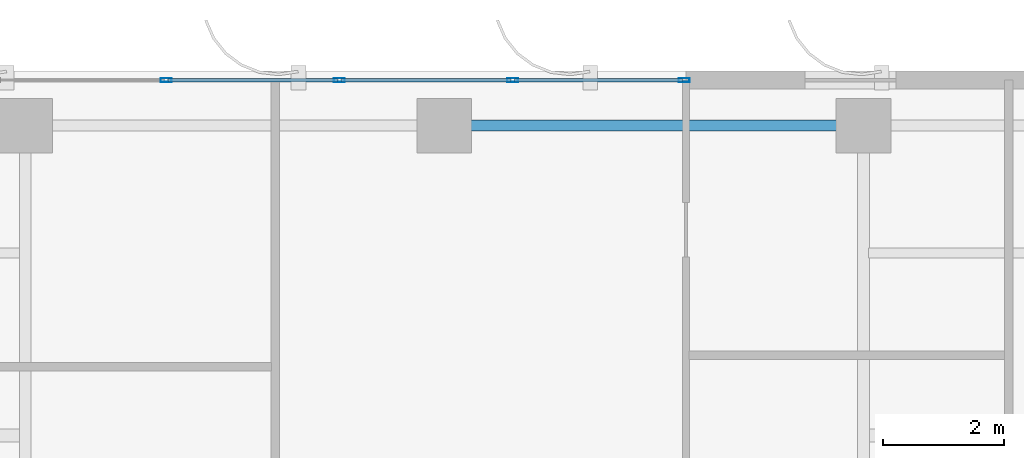
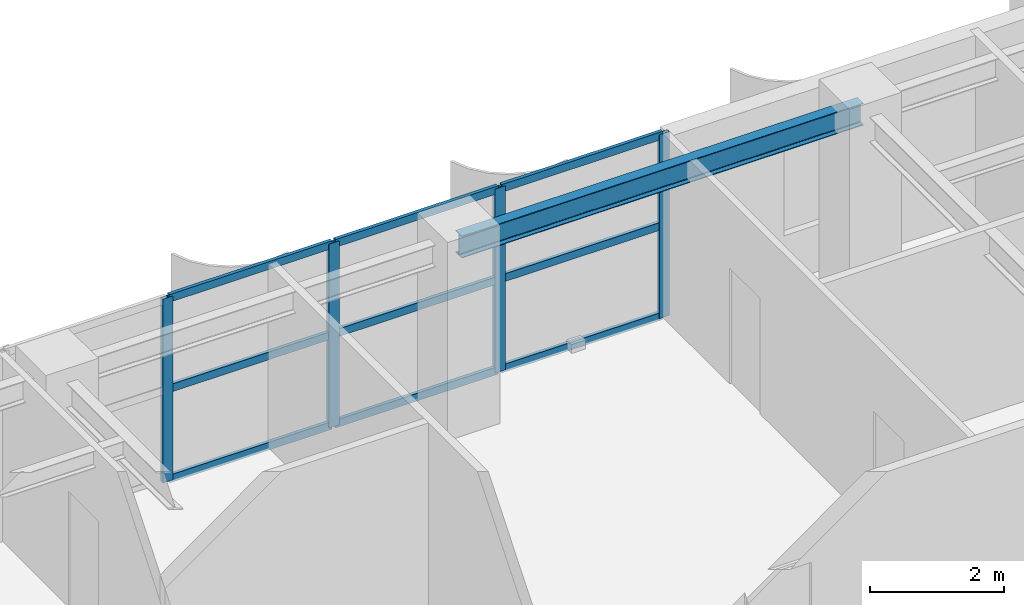
# One storey, part 13 of 22: 13 members, 1 beam, 1 element without a shape of its own.
"""IFC4 building model written with IfcOpenShell, lengths in metres."""

from ifc_helpers import new_model, si_unit, direction, frame, origin, origin_2d, place, context, subcontext, project, spatial, hollow_rectangle, i_section, extrude, source, transform, mapped, material, layer, layer_set, material_profile, profile_set, type_object, element, aggregate, save


model = new_model("IFC4")

# Units and contexts
model_context = context("Model", 3, precision=1e-05, world=origin(), true_north=direction((0.0, 1.0)))
body_context = subcontext(model_context, "Body", "Model", "MODEL_VIEW")
ifc_project = project(units=[si_unit("LENGTHUNIT", "METRE"), si_unit("AREAUNIT", "SQUARE_METRE"), si_unit("VOLUMEUNIT", "CUBIC_METRE"), si_unit("PLANEANGLEUNIT", "RADIAN"), si_unit("MASSUNIT", "GRAM", prefix="KILO")], contexts=[model_context])

# Site, building, storey
site_placement = place(None, origin())
site = spatial("IfcSite", under=ifc_project, at=site_placement, CompositionType="ELEMENT")
building_placement = place(site_placement, origin())
building = spatial("IfcBuilding", under=site, at=building_placement, Name="Khoralis Quay Care Tower", CompositionType="ELEMENT")
storey_placement = place(building_placement, frame((0.0, 0.0, 180.89990234375)))
storey = spatial("IfcBuildingStorey", under=building, at=storey_placement, Name="L47", CompositionType="ELEMENT", Elevation=180.89990234375)

# Beam
ifc_material_1 = material(Name="Steel S355", Category="steel")
ifc_material_profile_1 = material_profile(ifc_material_1, i_section(OverallWidth=0.179931640625, OverallDepth=0.39990234375, WebThickness=0.008544921875, FlangeThickness=0.013427734375, FilletRadius=0.02099609375, at=origin_2d()), Name="Steel S355")
ifc_profile_set_1 = profile_set([ifc_material_profile_1], Name="Steel S355")
beam_type = type_object("IfcBeamType", Name="BM-IPE400", PredefinedType="SPANDREL", material=ifc_profile_set_1)
shared_shape_1 = source(origin(), body_context, "Body", "SweptSolid", [
    extrude(i_section(OverallWidth=0.179931640625, OverallDepth=0.39990234375, WebThickness=0.008544921875, FlangeThickness=0.013427734375, FilletRadius=0.02099609375, at=origin_2d()), origin(), (0.0, 0.0, 1.0), 6.89990234375),
])
beam_placement = place(storey_placement, frame((24.0, 41.10009765625, 3.14013671875), z_axis=(1.0, 0.0, 0.0), x_axis=(0.0, 1.0, 0.0)))
element("IfcBeam", 1, at=beam_placement, inside=storey, type_object=beam_type, Name="BM-TSP-L47-07", PredefinedType="SPANDREL", context=body_context, shape_type="MappedRepresentation", body=[
    mapped(shared_shape_1, transform((0.0, 0.0, 0.0), scale=1.0)),
])

# Curtain wall, members
ifc_material_2 = material(Name="Pale anodised aluminium", Category="aluminium")
ifc_layer = layer(ifc_material_2, 0.159912109375)
ifc_layer_set = layer_set([ifc_layer], Name="Pale anodised aluminium")
curtain_wall_type = type_object("IfcCurtainWallType", Name="CW-SYS-Z3", PredefinedType="NOTDEFINED", material=ifc_layer_set)
curtain_wall_placement = place(storey_placement, origin())
curtain_wall = element("IfcCurtainWall", 2, at=curtain_wall_placement, inside=storey, type_object=curtain_wall_type, Name="L47 Unitised Curtain Wall CW-L47-P1-E10", PredefinedType="NOTDEFINED")
ifc_material_profile_2 = material_profile(ifc_material_2, hollow_rectangle(XDim=0.06494140625, YDim=0.179931640625, WallThickness=0.00390625, at=origin_2d()), Name="Pale anodised aluminium")
ifc_profile_set_2 = profile_set([ifc_material_profile_2], Name="Pale anodised aluminium")
member_type_1 = type_object("IfcMemberType", Name="CW-MUL-180", PredefinedType="MULLION", material=ifc_profile_set_2)
shared_shape_2 = source(origin(), body_context, "Body", "SweptSolid", [
    extrude(hollow_rectangle(XDim=0.06494140625, YDim=0.179931640625, WallThickness=0.00390625, at=origin_2d()), origin(), (0.0, 0.0, 1.0), 3.340087890625),
])
member_1_placement = place(storey_placement, frame((27.948974609375, 41.85009765625, 0.0), z_axis=(0.0, 0.0, 1.0), x_axis=(0.0, -1.0, 0.0)))
member_1 = element("IfcMember", 3, at=member_1_placement, type_object=member_type_1, Name="CW3 mullion 1", PredefinedType="MULLION", context=body_context, shape_type="MappedRepresentation", body=[
    mapped(shared_shape_2, transform((0.0, 0.0, 0.0), scale=1.0)),
])
member_2_placement = place(storey_placement, frame((25.1259765625, 41.85009765625, 0.0), z_axis=(0.0, 0.0, 1.0), x_axis=(0.0, -1.0, 0.0)))
member_2 = element("IfcMember", 4, at=member_2_placement, type_object=member_type_1, Name="CW3 mullion 2", PredefinedType="MULLION", context=body_context, shape_type="MappedRepresentation", body=[
    mapped(shared_shape_2, transform((0.0, 0.0, 0.0), scale=1.0)),
])
member_3_placement = place(storey_placement, frame((22.27294921875, 41.85009765625, 0.0), z_axis=(0.0, 0.0, 1.0), x_axis=(0.0, -1.0, 0.0)))
member_3 = element("IfcMember", 5, at=member_3_placement, type_object=member_type_1, Name="CW3 mullion 3", PredefinedType="MULLION", context=body_context, shape_type="MappedRepresentation", body=[
    mapped(shared_shape_2, transform((0.0, 0.0, 0.0), scale=1.0)),
])
member_4_placement = place(storey_placement, frame((19.419921875, 41.85009765625, 0.0), z_axis=(0.0, 0.0, 1.0), x_axis=(0.0, -1.0, 0.0)))
member_4 = element("IfcMember", 6, at=member_4_placement, type_object=member_type_1, Name="CW3 mullion 4", PredefinedType="MULLION", context=body_context, shape_type="MappedRepresentation", body=[
    mapped(shared_shape_2, transform((0.0, 0.0, 0.0), scale=1.0)),
])
ifc_material_profile_3 = material_profile(ifc_material_2, hollow_rectangle(XDim=0.06005859375, YDim=0.139892578125, WallThickness=0.00390625, at=origin_2d()), Name="Pale anodised aluminium")
ifc_profile_set_3 = profile_set([ifc_material_profile_3], Name="Pale anodised aluminium")
member_type_2 = type_object("IfcMemberType", Name="CW-TRN-140", PredefinedType="USERDEFINED", material=ifc_profile_set_3)
shared_shape_3 = source(origin(), body_context, "Body", "SweptSolid", [
    extrude(hollow_rectangle(XDim=0.06005859375, YDim=0.139892578125, WallThickness=0.00390625, at=origin_2d()), origin(), (0.0, 0.0, 1.0), 2.762939453125),
])
member_5_placement = place(storey_placement, frame((27.9189453125, 41.85009765625, 0.030029296875), z_axis=(-1.0, 0.0, 0.0), x_axis=(0.0, -1.0, 0.0)))
member_5 = element("IfcMember", 7, at=member_5_placement, type_object=member_type_2, Name="CW3 transom 1.1", ObjectType="TRANSOM", PredefinedType="USERDEFINED", context=body_context, shape_type="MappedRepresentation", body=[
    mapped(shared_shape_3, transform((0.0, 0.0, 0.0), scale=1.0)),
])
member_6_placement = place(storey_placement, frame((27.9189453125, 41.85009765625, 1.670166015625), z_axis=(-1.0, 0.0, 0.0), x_axis=(0.0, -1.0, 0.0)))
member_6 = element("IfcMember", 8, at=member_6_placement, type_object=member_type_2, Name="CW3 transom 1.2", ObjectType="TRANSOM", PredefinedType="USERDEFINED", context=body_context, shape_type="MappedRepresentation", body=[
    mapped(shared_shape_3, transform((0.0, 0.0, 0.0), scale=1.0)),
])
member_7_placement = place(storey_placement, frame((27.9189453125, 41.85009765625, 3.31005859375), z_axis=(-1.0, 0.0, 0.0), x_axis=(0.0, -1.0, 0.0)))
member_7 = element("IfcMember", 9, at=member_7_placement, type_object=member_type_2, Name="CW3 transom 1.3", ObjectType="TRANSOM", PredefinedType="USERDEFINED", context=body_context, shape_type="MappedRepresentation", body=[
    mapped(shared_shape_3, transform((0.0, 0.0, 0.0), scale=1.0)),
])
shared_shape_4 = source(origin(), body_context, "Body", "SweptSolid", [
    extrude(hollow_rectangle(XDim=0.06005859375, YDim=0.139892578125, WallThickness=0.00390625, at=origin_2d()), origin(), (0.0, 0.0, 1.0), 2.79296875),
])
member_8_placement = place(storey_placement, frame((25.095947265625, 41.85009765625, 0.030029296875), z_axis=(-1.0, 0.0, 0.0), x_axis=(0.0, -1.0, 0.0)))
member_8 = element("IfcMember", 10, at=member_8_placement, type_object=member_type_2, Name="CW3 transom 2.1", ObjectType="TRANSOM", PredefinedType="USERDEFINED", context=body_context, shape_type="MappedRepresentation", body=[
    mapped(shared_shape_4, transform((0.0, 0.0, 0.0), scale=1.0)),
])
member_9_placement = place(storey_placement, frame((25.095947265625, 41.85009765625, 1.670166015625), z_axis=(-1.0, 0.0, 0.0), x_axis=(0.0, -1.0, 0.0)))
member_9 = element("IfcMember", 11, at=member_9_placement, type_object=member_type_2, Name="CW3 transom 2.2", ObjectType="TRANSOM", PredefinedType="USERDEFINED", context=body_context, shape_type="MappedRepresentation", body=[
    mapped(shared_shape_4, transform((0.0, 0.0, 0.0), scale=1.0)),
])
member_10_placement = place(storey_placement, frame((25.095947265625, 41.85009765625, 3.31005859375), z_axis=(-1.0, 0.0, 0.0), x_axis=(0.0, -1.0, 0.0)))
member_10 = element("IfcMember", 12, at=member_10_placement, type_object=member_type_2, Name="CW3 transom 2.3", ObjectType="TRANSOM", PredefinedType="USERDEFINED", context=body_context, shape_type="MappedRepresentation", body=[
    mapped(shared_shape_4, transform((0.0, 0.0, 0.0), scale=1.0)),
])
member_11_placement = place(storey_placement, frame((22.242919921875, 41.85009765625, 0.030029296875), z_axis=(-1.0, 0.0, 0.0), x_axis=(0.0, -1.0, 0.0)))
member_11 = element("IfcMember", 13, at=member_11_placement, type_object=member_type_2, Name="CW3 transom 3.1", ObjectType="TRANSOM", PredefinedType="USERDEFINED", context=body_context, shape_type="MappedRepresentation", body=[
    mapped(shared_shape_4, transform((0.0, 0.0, 0.0), scale=1.0)),
])
member_12_placement = place(storey_placement, frame((22.242919921875, 41.85009765625, 1.670166015625), z_axis=(-1.0, 0.0, 0.0), x_axis=(0.0, -1.0, 0.0)))
member_12 = element("IfcMember", 14, at=member_12_placement, type_object=member_type_2, Name="CW3 transom 3.2", ObjectType="TRANSOM", PredefinedType="USERDEFINED", context=body_context, shape_type="MappedRepresentation", body=[
    mapped(shared_shape_4, transform((0.0, 0.0, 0.0), scale=1.0)),
])
member_13_placement = place(storey_placement, frame((22.242919921875, 41.85009765625, 3.31005859375), z_axis=(-1.0, 0.0, 0.0), x_axis=(0.0, -1.0, 0.0)))
member_13 = element("IfcMember", 15, at=member_13_placement, type_object=member_type_2, Name="CW3 transom 3.3", ObjectType="TRANSOM", PredefinedType="USERDEFINED", context=body_context, shape_type="MappedRepresentation", body=[
    mapped(shared_shape_4, transform((0.0, 0.0, 0.0), scale=1.0)),
])
aggregate(curtain_wall, [member_1, member_2, member_3, member_4, member_5, member_6, member_7, member_8, member_9, member_10, member_11, member_12, member_13])

save(model, "model.ifc")
